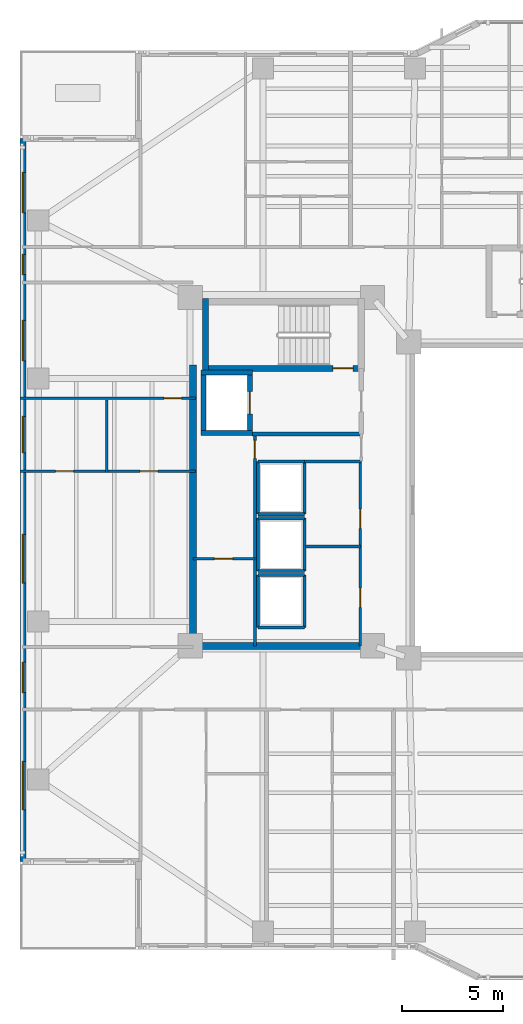
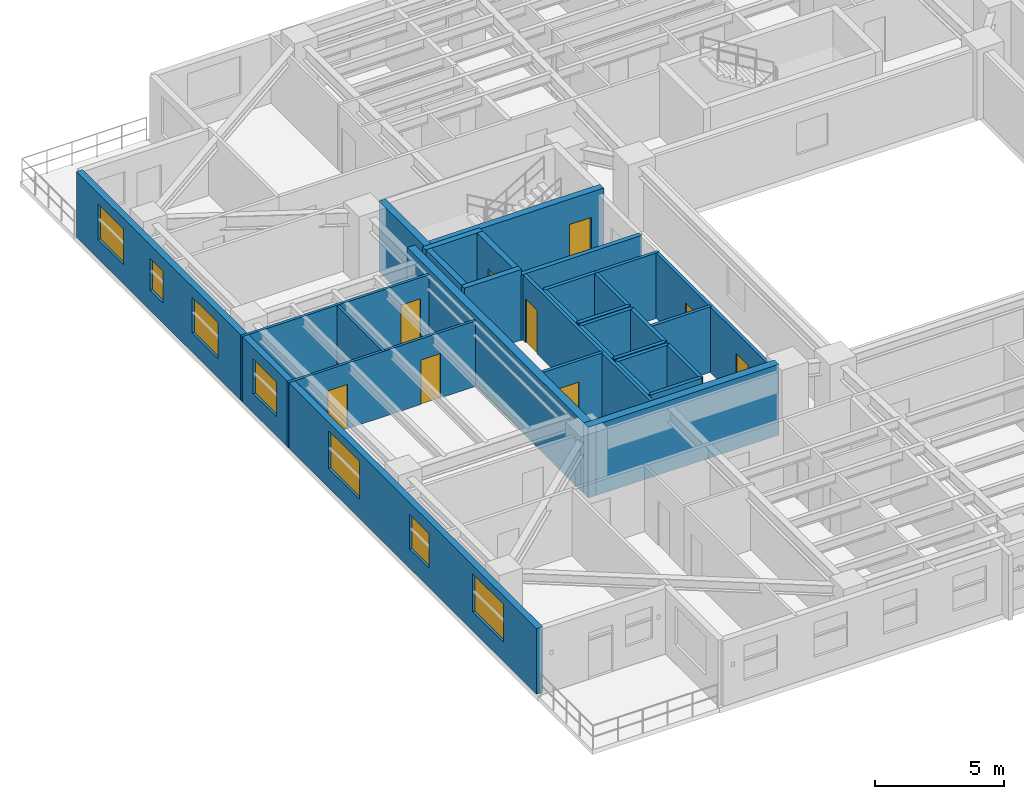
# One storey, part 7 of 19: 30 walls, 9 doors, 7 windows, 16 openings.
"""IFC4 building model written with IfcOpenShell, lengths in metres."""

from ifc_helpers import new_model, si_unit, direction, frame, frame_2d, origin, place, context, subcontext, project, spatial, rectangle, extrude, material, layer, layer_set, type_object, element, fill, save


model = new_model("IFC4")

# Units and contexts
model_context = context("Model", 3, precision=1e-05, world=origin(), true_north=direction((0.0, 1.0)))
body_context = subcontext(model_context, "Body", "Model", "MODEL_VIEW")
ifc_project = project(units=[si_unit("LENGTHUNIT", "METRE"), si_unit("AREAUNIT", "SQUARE_METRE"), si_unit("VOLUMEUNIT", "CUBIC_METRE"), si_unit("PLANEANGLEUNIT", "RADIAN"), si_unit("MASSUNIT", "GRAM", prefix="KILO")], contexts=[model_context])

# Site, building, storey
site_placement = place(None, origin())
site = spatial("IfcSite", under=ifc_project, at=site_placement, CompositionType="ELEMENT")
building_placement = place(site_placement, origin())
building = spatial("IfcBuilding", under=site, at=building_placement, Name="Tarnavaz Court Tower", CompositionType="ELEMENT")
storey_placement = place(building_placement, frame((0.0, 0.0, 78.300048828125)))
storey = spatial("IfcBuildingStorey", under=building, at=storey_placement, Name="L20", CompositionType="ELEMENT", Elevation=78.300048828125)

# Wall
ifc_material_1 = material(Name="Concrete C60/75", Category="concrete")
ifc_layer_1 = layer(ifc_material_1, 0.25)
ifc_layer_set_1 = layer_set([ifc_layer_1], Name="Concrete C60/75")
wall_type_1 = type_object("IfcWallType", Name="WL-CORE-250-C60", PredefinedType="SHEAR", material=ifc_layer_set_1)
wall_1_placement = place(storey_placement, frame((-17.949951171875, 3.175048828125, 0.0), z_axis=(0.0, 0.0, 1.0), x_axis=(0.0, 1.0, 0.0)))
element("IfcWall", 1, at=wall_1_placement, inside=storey, type_object=wall_type_1, Name="L20 Lift FL-W1 Shaft Wall 017", PredefinedType="SHEAR", context=body_context, shape_type="SweptSolid", body=[
    extrude(rectangle(XDim=3.25, YDim=0.25, at=frame_2d((1.625, 0.0))), origin(), (0.0, 0.0, 1.0), 3.349853515625),
])

# Wall, opening, door
wall_2_placement = place(storey_placement, frame((-15.64990234375, 3.175048828125, 0.0), z_axis=(0.0, 0.0, 1.0), x_axis=(0.0, 1.0, 0.0)))
wall_2 = element("IfcWall", 2, at=wall_2_placement, inside=storey, type_object=wall_type_1, Name="L20 Lift FL-W1 Shaft Wall 018", PredefinedType="SHEAR", context=body_context, shape_type="SweptSolid", body=[
    extrude(rectangle(XDim=3.25, YDim=0.25, at=frame_2d((1.625, 0.0))), origin(), (0.0, 0.0, 1.0), 3.349853515625),
])
opening_1_placement = place(wall_2_placement, frame((1.074951171875, 0.0, 0.0)))
opening_1 = element("IfcOpeningElement", 3, at=opening_1_placement, cuts=wall_2, Name="Opening LD1", PredefinedType="OPENING", context=body_context, shape_type="SweptSolid", body=[
    extrude(rectangle(XDim=1.10009765625, YDim=2.14990234375, at=frame_2d((0.550048828125, 1.074951171875))), frame((0.0, 0.135009765625, 0.0), z_axis=(0.0, -1.0, 0.0), x_axis=(1.0, 0.0, 0.0)), (0.0, 0.0, 1.0), 0.27001953125),
])
ifc_material_2 = material(Name="Stainless Steel", Category="steel")
door_type_1 = type_object("IfcDoorType", Name="DR-LD-1100", OperationType="NOTDEFINED", PredefinedType="DOOR", material=ifc_material_2)
door_1_placement = place(opening_1_placement, origin())
door_1 = element("IfcDoor", 4, at=door_1_placement, inside=storey, type_object=door_type_1, Name="L20 Lift Landing Door LD-FL-W1", OperationType="SLIDING_TO_LEFT", OverallHeight=2.14990234375, OverallWidth=1.10009765625, PredefinedType="DOOR", context=body_context, shape_type="SweptSolid", body=[
    extrude(rectangle(XDim=1.10009765625, YDim=2.14990234375, at=frame_2d((0.550048828125, 1.074951171875))), frame((0.0, 0.02490234375, 0.0), z_axis=(0.0, -1.0, 0.0), x_axis=(1.0, 0.0, 0.0)), (0.0, 0.0, 1.0), 0.050048828125),
])
fill(opening_1, door_1)

# Walls
for number, where, z_axis, x_axis, name in (
    (5, (-18.074951171875, 3.300048828125, 0.0), (0.0, 0.0, 1.0), (1.0, 0.0, 0.0), "L20 Lift FL-W1 Shaft Wall 019"),
    (6, (-18.074951171875, 6.300048828125, 0.0), (0.0, 0.0, 1.0), (1.0, 0.0, 0.0), "L20 Lift FL-W1 Shaft Wall 020"),
):
    element("IfcWall", number, at=place(storey_placement, frame(where, z_axis=z_axis, x_axis=x_axis)), inside=storey, type_object=wall_type_1, Name=name, PredefinedType="SHEAR", context=body_context, shape_type="SweptSolid", body=[
        extrude(rectangle(XDim=2.550048828125, YDim=0.25, at=frame_2d((1.27490234375, 0.0))), origin(), (0.0, 0.0, 1.0), 3.349853515625),
    ])

# Wall, opening, door
ifc_layer_2 = layer(ifc_material_1, 0.300048828125)
ifc_layer_set_2 = layer_set([ifc_layer_2], Name="Concrete C60/75")
wall_type_2 = type_object("IfcWallType", Name="WL-CORE-300-C60", PredefinedType="SHEAR", material=ifc_layer_set_2)
wall_3_placement = place(storey_placement, frame((-18.0, 6.5, 0.0), z_axis=(0.0, 0.0, 1.0), x_axis=(1.0, 0.0, 0.0)))
wall_3 = element("IfcWall", 7, at=wall_3_placement, inside=storey, type_object=wall_type_2, Name="L20 West Stair Core Wall 002", PredefinedType="SHEAR", context=body_context, shape_type="SweptSolid", body=[
    extrude(rectangle(XDim=8.0, YDim=0.300048828125, at=frame_2d((4.0, 0.0))), origin(), (0.0, 0.0, 1.0), 3.349853515625),
])
opening_2_placement = place(wall_3_placement, frame((6.449951171875, 0.0, 0.0)))
opening_2 = element("IfcOpeningElement", 8, at=opening_2_placement, cuts=wall_3, Name="Opening D01", PredefinedType="OPENING", context=body_context, shape_type="SweptSolid", body=[
    extrude(rectangle(XDim=1.0, YDim=2.14990234375, at=frame_2d((0.5, 1.074951171875))), frame((0.0, 0.159912109375, 0.0), z_axis=(0.0, -1.0, 0.0), x_axis=(1.0, 0.0, 0.0)), (0.0, 0.0, 1.0), 0.320068359375),
])
ifc_material_3 = material(Name="Fire-Rated Hardwood Timber Core", Category="wood")
door_type_2 = type_object("IfcDoorType", Name="DR-FD90-1000", OperationType="NOTDEFINED", PredefinedType="DOOR", material=ifc_material_3)
door_2_placement = place(opening_2_placement, origin())
door_2 = element("IfcDoor", 9, at=door_2_placement, inside=storey, type_object=door_type_2, Name="L20 Stair ST-W1 Exit Door", OperationType="SINGLE_SWING_LEFT", OverallHeight=2.14990234375, OverallWidth=1.0, PredefinedType="DOOR", context=body_context, shape_type="SweptSolid", body=[
    extrude(rectangle(XDim=1.0, YDim=2.14990234375, at=frame_2d((0.5, 1.074951171875))), frame((0.0, 0.02490234375, 0.0), z_axis=(0.0, -1.0, 0.0), x_axis=(1.0, 0.0, 0.0)), (0.0, 0.0, 1.0), 0.050048828125),
])
fill(opening_2, door_2)

# Walls
wall_4_placement = place(storey_placement, frame((-17.85009765625, 6.35009765625, 0.0), z_axis=(0.0, 0.0, 1.0), x_axis=(0.0, 1.0, 0.0)))
element("IfcWall", 10, at=wall_4_placement, inside=storey, type_object=wall_type_2, Name="L20 West Stair Core Wall 003", PredefinedType="SHEAR", context=body_context, shape_type="SweptSolid", body=[
    extrude(rectangle(XDim=3.58984375, YDim=0.300048828125, at=frame_2d((1.794921875, 0.0))), origin(), (0.0, 0.0, 1.0), 3.349853515625),
])
ifc_layer_3 = layer(ifc_material_1, 0.35009765625)
ifc_layer_set_3 = layer_set([ifc_layer_3], Name="Concrete C60/75")
wall_type_3 = type_object("IfcWallType", Name="WL-CORE-350-C60", PredefinedType="SHEAR", material=ifc_layer_set_3)
wall_5_placement = place(storey_placement, frame((-18.449951171875, -7.375, 0.0), z_axis=(0.0, 0.0, 1.0), x_axis=(0.0, 1.0, 0.0)))
element("IfcWall", 11, at=wall_5_placement, inside=storey, type_object=wall_type_3, Name="L20 West Core Shear Wall 057", PredefinedType="SHEAR", context=body_context, shape_type="SweptSolid", body=[
    extrude(rectangle(XDim=14.050048828125, YDim=0.35009765625, at=frame_2d((7.02490234375, 0.0))), origin(), (0.0, 0.0, 1.0), 3.349853515625),
])
wall_6_placement = place(storey_placement, frame((-18.625, -7.199951171875, 0.0), z_axis=(0.0, 0.0, 1.0), x_axis=(1.0, 0.0, 0.0)))
element("IfcWall", 12, at=wall_6_placement, inside=storey, type_object=wall_type_3, Name="L20 West Core South Shear Wall 058", PredefinedType="SHEAR", context=body_context, shape_type="SweptSolid", body=[
    extrude(rectangle(XDim=8.550048828125, YDim=0.35009765625, at=frame_2d((4.27490234375, 0.0))), origin(), (0.0, 0.0, 1.0), 3.349853515625),
])

# Wall, openings, windows
ifc_material_4 = material(Name="Precast Concrete C40/50", Category="concrete")
ifc_layer_4 = layer(ifc_material_4, 0.280029296875)
ifc_layer_set_4 = layer_set([ifc_layer_4], Name="Precast Concrete C40/50")
wall_type_4 = type_object("IfcWallType", Name="WL-EXT-280", PredefinedType="SOLIDWALL", material=ifc_layer_set_4)
wall_7_placement = place(storey_placement, frame((-26.85009765625, -17.85009765625, 0.0), z_axis=(0.0, 0.0, 1.0), x_axis=(0.0, 1.0, 0.0)))
wall_7 = element("IfcWall", 13, at=wall_7_placement, inside=storey, type_object=wall_type_4, Name="L20 Exterior Terracotta Facade Wall 02", PredefinedType="SOLIDWALL", context=body_context, shape_type="SweptSolid", body=[
    extrude(rectangle(XDim=35.7001953125, YDim=0.280029296875, at=frame_2d((17.85009765625, 0.0))), origin(), (0.0, 0.0, 1.0), 3.099853515625),
])
opening_3_placement = place(wall_7_placement, frame((2.550048828125, 0.0, 0.89990234375)))
opening_3 = element("IfcOpeningElement", 14, at=opening_3_placement, cuts=wall_7, Name="Opening W06", PredefinedType="OPENING", context=body_context, shape_type="SweptSolid", body=[
    extrude(rectangle(XDim=2.39990234375, YDim=1.800048828125, at=frame_2d((1.199951171875, 0.89990234375))), frame((0.0, 0.14990234375, 0.0), z_axis=(0.0, -1.0, 0.0), x_axis=(1.0, 0.0, 0.0)), (0.0, 0.0, 1.0), 0.300048828125),
])
opening_4_placement = place(wall_7_placement, frame((8.342529296875, 0.0, 0.89990234375)))
opening_4 = element("IfcOpeningElement", 15, at=opening_4_placement, cuts=wall_7, Name="Opening W03", PredefinedType="OPENING", context=body_context, shape_type="SweptSolid", body=[
    extrude(rectangle(XDim=1.5, YDim=1.64990234375, at=frame_2d((0.75, 0.824951171875))), frame((0.0, 0.14990234375, 0.0), z_axis=(0.0, -1.0, 0.0), x_axis=(1.0, 0.0, 0.0)), (0.0, 0.0, 1.0), 0.300048828125),
])
opening_5_placement = place(wall_7_placement, frame((13.75, 0.0, 0.89990234375)))
opening_5 = element("IfcOpeningElement", 16, at=opening_5_placement, cuts=wall_7, Name="Opening W06", PredefinedType="OPENING", context=body_context, shape_type="SweptSolid", body=[
    extrude(rectangle(XDim=2.39990234375, YDim=1.800048828125, at=frame_2d((1.199951171875, 0.89990234375))), frame((0.0, 0.14990234375, 0.0), z_axis=(0.0, -1.0, 0.0), x_axis=(1.0, 0.0, 0.0)), (0.0, 0.0, 1.0), 0.300048828125),
])
opening_6_placement = place(wall_7_placement, frame((20.175048828125, 0.0, 0.89990234375)))
opening_6 = element("IfcOpeningElement", 17, at=opening_6_placement, cuts=wall_7, Name="Opening W01", PredefinedType="OPENING", context=body_context, shape_type="SweptSolid", body=[
    extrude(rectangle(XDim=1.800048828125, YDim=1.64990234375, at=frame_2d((0.89990234375, 0.824951171875))), frame((0.0, 0.14990234375, 0.0), z_axis=(0.0, -1.0, 0.0), x_axis=(1.0, 0.0, 0.0)), (0.0, 0.0, 1.0), 0.300048828125),
])
opening_7_placement = place(wall_7_placement, frame((24.72509765625, 0.0, 0.89990234375)))
opening_7 = element("IfcOpeningElement", 18, at=opening_7_placement, cuts=wall_7, Name="Opening W08", PredefinedType="OPENING", context=body_context, shape_type="SweptSolid", body=[
    extrude(rectangle(XDim=2.0, YDim=1.699951171875, at=frame_2d((1.0, 0.85009765625))), frame((0.0, 0.14990234375, 0.0), z_axis=(0.0, -1.0, 0.0), x_axis=(1.0, 0.0, 0.0)), (0.0, 0.0, 1.0), 0.300048828125),
])
opening_8_placement = place(wall_7_placement, frame((28.97509765625, 0.0, 0.949951171875)))
opening_8 = element("IfcOpeningElement", 19, at=opening_8_placement, cuts=wall_7, Name="Opening W14", PredefinedType="OPENING", context=body_context, shape_type="SweptSolid", body=[
    extrude(rectangle(XDim=1.0, YDim=1.5, at=frame_2d((0.5, 0.75))), frame((0.0, 0.14990234375, 0.0), z_axis=(0.0, -1.0, 0.0), x_axis=(1.0, 0.0, 0.0)), (0.0, 0.0, 1.0), 0.300048828125),
])
opening_9_placement = place(wall_7_placement, frame((32.02490234375, 0.0, 0.89990234375)))
opening_9 = element("IfcOpeningElement", 20, at=opening_9_placement, cuts=wall_7, Name="Opening W08", PredefinedType="OPENING", context=body_context, shape_type="SweptSolid", body=[
    extrude(rectangle(XDim=2.0, YDim=1.699951171875, at=frame_2d((1.0, 0.85009765625))), frame((0.0, 0.14990234375, 0.0), z_axis=(0.0, -1.0, 0.0), x_axis=(1.0, 0.0, 0.0)), (0.0, 0.0, 1.0), 0.300048828125),
])
ifc_material_5 = material(Name="Double-Glazed Solar Low-E Glass", Category="glass")
window_type_1 = type_object("IfcWindowType", Name="WN-APT-1000", PartitioningType="SINGLE_PANEL", PredefinedType="WINDOW", material=ifc_material_5)
window_1_placement = place(opening_8_placement, origin())
window_1 = element("IfcWindow", 21, at=window_1_placement, inside=storey, type_object=window_type_1, Name="L20 North-West Corner Corridor Window", OverallHeight=1.5, OverallWidth=1.0, PartitioningType="SINGLE_PANEL", PredefinedType="WINDOW", context=body_context, shape_type="SweptSolid", body=[
    extrude(rectangle(XDim=1.0, YDim=1.5, at=frame_2d((0.5, 0.75))), frame((0.0, 0.030029296875, 0.0), z_axis=(0.0, -1.0, 0.0), x_axis=(1.0, 0.0, 0.0)), (0.0, 0.0, 1.0), 0.06005859375),
])
fill(opening_8, window_1)
window_type_2 = type_object("IfcWindowType", Name="WN-APT-1500", PartitioningType="DOUBLE_PANEL_VERTICAL", PredefinedType="WINDOW", material=ifc_material_5)
window_2_placement = place(opening_4_placement, origin())
window_2 = element("IfcWindow", 22, at=window_2_placement, inside=storey, type_object=window_type_2, Name="L20 South-West Corner Corridor Window", OverallHeight=1.64990234375, OverallWidth=1.5, PartitioningType="SINGLE_PANEL", PredefinedType="WINDOW", context=body_context, shape_type="SweptSolid", body=[
    extrude(rectangle(XDim=1.5, YDim=1.64990234375, at=frame_2d((0.75, 0.824951171875))), frame((0.0, 0.030029296875, 0.0), z_axis=(0.0, -1.0, 0.0), x_axis=(1.0, 0.0, 0.0)), (0.0, 0.0, 1.0), 0.06005859375),
])
fill(opening_4, window_2)
window_type_3 = type_object("IfcWindowType", Name="WN-APT-1800", PartitioningType="DOUBLE_PANEL_VERTICAL", PredefinedType="WINDOW", material=ifc_material_5)
window_3_placement = place(opening_6_placement, origin())
window_3 = element("IfcWindow", 23, at=window_3_placement, inside=storey, type_object=window_type_3, Name="L20 Flat 09 Kitchen Window", OverallHeight=1.64990234375, OverallWidth=1.800048828125, PartitioningType="SINGLE_PANEL", PredefinedType="WINDOW", context=body_context, shape_type="SweptSolid", body=[
    extrude(rectangle(XDim=1.800048828125, YDim=1.64990234375, at=frame_2d((0.89990234375, 0.824951171875))), frame((0.0, 0.030029296875, 0.0), z_axis=(0.0, -1.0, 0.0), x_axis=(1.0, 0.0, 0.0)), (0.0, 0.0, 1.0), 0.06005859375),
])
fill(opening_6, window_3)
window_type_4 = type_object("IfcWindowType", Name="WN-APT-2000", PartitioningType="DOUBLE_PANEL_VERTICAL", PredefinedType="WINDOW", material=ifc_material_5)
window_4_placement = place(opening_7_placement, origin())
window_4 = element("IfcWindow", 24, at=window_4_placement, inside=storey, type_object=window_type_4, Name="L20 Flat 09 Study Room Window", OverallHeight=1.699951171875, OverallWidth=2.0, PartitioningType="SINGLE_PANEL", PredefinedType="WINDOW", context=body_context, shape_type="SweptSolid", body=[
    extrude(rectangle(XDim=2.0, YDim=1.699951171875, at=frame_2d((1.0, 0.85009765625))), frame((0.0, 0.030029296875, 0.0), z_axis=(0.0, -1.0, 0.0), x_axis=(1.0, 0.0, 0.0)), (0.0, 0.0, 1.0), 0.06005859375),
])
fill(opening_7, window_4)
window_5_placement = place(opening_9_placement, origin())
window_5 = element("IfcWindow", 25, at=window_5_placement, inside=storey, type_object=window_type_4, Name="L20 North-West Corner Sunroom Study Window", OverallHeight=1.699951171875, OverallWidth=2.0, PartitioningType="SINGLE_PANEL", PredefinedType="WINDOW", context=body_context, shape_type="SweptSolid", body=[
    extrude(rectangle(XDim=2.0, YDim=1.699951171875, at=frame_2d((1.0, 0.85009765625))), frame((0.0, 0.030029296875, 0.0), z_axis=(0.0, -1.0, 0.0), x_axis=(1.0, 0.0, 0.0)), (0.0, 0.0, 1.0), 0.06005859375),
])
fill(opening_9, window_5)
window_type_5 = type_object("IfcWindowType", Name="WN-APT-2400", PartitioningType="TRIPLE_PANEL_VERTICAL", PredefinedType="WINDOW", material=ifc_material_5)
window_6_placement = place(opening_3_placement, origin())
window_6 = element("IfcWindow", 26, at=window_6_placement, inside=storey, type_object=window_type_5, Name="L20 South-West Corner Reading Room Window", OverallHeight=1.800048828125, OverallWidth=2.39990234375, PartitioningType="SINGLE_PANEL", PredefinedType="WINDOW", context=body_context, shape_type="SweptSolid", body=[
    extrude(rectangle(XDim=2.39990234375, YDim=1.800048828125, at=frame_2d((1.199951171875, 0.89990234375))), frame((0.0, 0.030029296875, 0.0), z_axis=(0.0, -1.0, 0.0), x_axis=(1.0, 0.0, 0.0)), (0.0, 0.0, 1.0), 0.06005859375),
])
fill(opening_3, window_6)
window_7_placement = place(opening_5_placement, origin())
window_7 = element("IfcWindow", 27, at=window_7_placement, inside=storey, type_object=window_type_5, Name="L20 Flat 09 Studio Living and Sleeping Room Window", OverallHeight=1.800048828125, OverallWidth=2.39990234375, PartitioningType="SINGLE_PANEL", PredefinedType="WINDOW", context=body_context, shape_type="SweptSolid", body=[
    extrude(rectangle(XDim=2.39990234375, YDim=1.800048828125, at=frame_2d((1.199951171875, 0.89990234375))), frame((0.0, 0.030029296875, 0.0), z_axis=(0.0, -1.0, 0.0), x_axis=(1.0, 0.0, 0.0)), (0.0, 0.0, 1.0), 0.06005859375),
])
fill(opening_5, window_7)

# Wall
ifc_material_6 = material(Name="Autoclaved Aerated Concrete Blockwork", Category="masonry")
ifc_layer_5 = layer(ifc_material_6, 0.199951171875)
ifc_layer_set_5 = layer_set([ifc_layer_5], Name="Autoclaved Aerated Concrete Blockwork")
wall_type_5 = type_object("IfcWallType", Name="WL-FIRE-200", PredefinedType="SOLIDWALL", material=ifc_layer_set_5)
wall_8_placement = place(storey_placement, frame((-15.550048828125, 3.25, 0.0), z_axis=(0.0, 0.0, 1.0), x_axis=(1.0, 0.0, 0.0)))
element("IfcWall", 28, at=wall_8_placement, inside=storey, type_object=wall_type_5, Name="L20 West Firefighting Lobby Wall 013", PredefinedType="SOLIDWALL", context=body_context, shape_type="SweptSolid", body=[
    extrude(rectangle(XDim=5.400146484375, YDim=0.199951171875, at=frame_2d((2.7001953125, 0.0))), origin(), (0.0, 0.0, 1.0), 3.099853515625),
])

# Wall, openings, doors
ifc_material_7 = material(Name="Moisture-Resistant Gypsum Board Partition", Category="masonry")
ifc_layer_6 = layer(ifc_material_7, 0.1201171875)
ifc_layer_set_6 = layer_set([ifc_layer_6], Name="Moisture-Resistant Gypsum Board Partition")
wall_type_6 = type_object("IfcWallType", Name="WL-PART-120", PredefinedType="PARTITIONING", material=ifc_layer_set_6)
wall_9_placement = place(storey_placement, frame((-27.0, 1.419921875, 0.0), z_axis=(0.0, 0.0, 1.0), x_axis=(1.0, 0.0, 0.0)))
wall_9 = element("IfcWall", 29, at=wall_9_placement, inside=storey, type_object=wall_type_6, Name="L20 Interior Partition 134", PredefinedType="PARTITIONING", context=body_context, shape_type="SweptSolid", body=[
    extrude(rectangle(XDim=8.669921875, YDim=0.1201171875, at=frame_2d((4.3349609375, 0.0))), origin(), (0.0, 0.0, 1.0), 3.099853515625),
])
opening_10_placement = place(wall_9_placement, frame((1.762939453125, 0.0, 0.0)))
opening_10 = element("IfcOpeningElement", 30, at=opening_10_placement, cuts=wall_9, Name="Opening D14", PredefinedType="OPENING", context=body_context, shape_type="SweptSolid", body=[
    extrude(rectangle(XDim=0.8798828125, YDim=2.10009765625, at=frame_2d((0.43994140625, 1.050048828125))), frame((0.0, 0.070068359375, 0.0), z_axis=(0.0, -1.0, 0.0), x_axis=(1.0, 0.0, 0.0)), (0.0, 0.0, 1.0), 0.14013671875),
])
opening_11_placement = place(wall_9_placement, frame((5.927978515625, 0.0, 0.0)))
opening_11 = element("IfcOpeningElement", 31, at=opening_11_placement, cuts=wall_9, Name="Opening D14", PredefinedType="OPENING", context=body_context, shape_type="SweptSolid", body=[
    extrude(rectangle(XDim=0.8798828125, YDim=2.10009765625, at=frame_2d((0.43994140625, 1.050048828125))), frame((0.0, 0.070068359375, 0.0), z_axis=(0.0, -1.0, 0.0), x_axis=(1.0, 0.0, 0.0)), (0.0, 0.0, 1.0), 0.14013671875),
])
ifc_material_8 = material(Name="Engineered Oak Timber", Category="wood")
door_type_3 = type_object("IfcDoorType", Name="DR-INT-900", OperationType="NOTDEFINED", PredefinedType="DOOR", material=ifc_material_8)
door_3_placement = place(opening_10_placement, origin())
door_3 = element("IfcDoor", 32, at=door_3_placement, inside=storey, type_object=door_type_3, Name="L20 Flat 09 Kitchen Door", OperationType="SINGLE_SWING_RIGHT", OverallHeight=2.10009765625, OverallWidth=0.8798828125, PredefinedType="DOOR", context=body_context, shape_type="SweptSolid", body=[
    extrude(rectangle(XDim=0.8798828125, YDim=2.10009765625, at=frame_2d((0.43994140625, 1.050048828125))), frame((0.0, 0.02490234375, 0.0), z_axis=(0.0, -1.0, 0.0), x_axis=(1.0, 0.0, 0.0)), (0.0, 0.0, 1.0), 0.050048828125),
])
fill(opening_10, door_3)
door_4_placement = place(opening_11_placement, origin())
door_4 = element("IfcDoor", 33, at=door_4_placement, inside=storey, type_object=door_type_3, Name="L20 Flat 09 Bathroom Door", OperationType="SINGLE_SWING_LEFT", OverallHeight=2.10009765625, OverallWidth=0.8798828125, PredefinedType="DOOR", context=body_context, shape_type="SweptSolid", body=[
    extrude(rectangle(XDim=0.8798828125, YDim=2.10009765625, at=frame_2d((0.43994140625, 1.050048828125))), frame((0.0, 0.02490234375, 0.0), z_axis=(0.0, -1.0, 0.0), x_axis=(1.0, 0.0, 0.0)), (0.0, 0.0, 1.0), 0.050048828125),
])
fill(opening_11, door_4)

# Wall, opening, door
wall_10_placement = place(storey_placement, frame((-27.0, 5.02001953125, 0.0), z_axis=(0.0, 0.0, 1.0), x_axis=(1.0, 0.0, 0.0)))
wall_10 = element("IfcWall", 34, at=wall_10_placement, inside=storey, type_object=wall_type_6, Name="L20 Interior Partition 135", PredefinedType="PARTITIONING", context=body_context, shape_type="SweptSolid", body=[
    extrude(rectangle(XDim=8.669921875, YDim=0.1201171875, at=frame_2d((4.3349609375, 0.0))), origin(), (0.0, 0.0, 1.0), 3.099853515625),
])
opening_12_placement = place(wall_10_placement, frame((7.10009765625, 0.0, 0.0)))
opening_12 = element("IfcOpeningElement", 35, at=opening_12_placement, cuts=wall_10, Name="Opening D14", PredefinedType="OPENING", context=body_context, shape_type="SweptSolid", body=[
    extrude(rectangle(XDim=0.8798828125, YDim=2.10009765625, at=frame_2d((0.43994140625, 1.050048828125))), frame((0.0, 0.070068359375, 0.0), z_axis=(0.0, -1.0, 0.0), x_axis=(1.0, 0.0, 0.0)), (0.0, 0.0, 1.0), 0.14013671875),
])
door_5_placement = place(opening_12_placement, origin())
door_5 = element("IfcDoor", 36, at=door_5_placement, inside=storey, type_object=door_type_3, Name="L20 Flat 09 Study Door", OperationType="SINGLE_SWING_RIGHT", OverallHeight=2.10009765625, OverallWidth=0.8798828125, PredefinedType="DOOR", context=body_context, shape_type="SweptSolid", body=[
    extrude(rectangle(XDim=0.8798828125, YDim=2.10009765625, at=frame_2d((0.43994140625, 1.050048828125))), frame((0.0, 0.02490234375, 0.0), z_axis=(0.0, -1.0, 0.0), x_axis=(1.0, 0.0, 0.0)), (0.0, 0.0, 1.0), 0.050048828125),
])
fill(opening_12, door_5)

# Walls
wall_11_placement = place(storey_placement, frame((-22.715087890625, 1.360107421875, 0.0), z_axis=(0.0, 0.0, 1.0), x_axis=(0.0, 1.0, 0.0)))
element("IfcWall", 37, at=wall_11_placement, inside=storey, type_object=wall_type_6, Name="L20 Interior Partition 136", PredefinedType="PARTITIONING", context=body_context, shape_type="SweptSolid", body=[
    extrude(rectangle(XDim=3.579833984375, YDim=0.1201171875, at=frame_2d((1.7900390625, 0.0))), origin(), (0.0, 0.0, 1.0), 3.099853515625),
])
ifc_material_9 = material(Name="Gypsum Plasterboard Acoustic Partition", Category="masonry")
ifc_layer_7 = layer(ifc_material_9, 0.139892578125)
ifc_layer_set_7 = layer_set([ifc_layer_7], Name="Gypsum Plasterboard Acoustic Partition")
wall_type_7 = type_object("IfcWallType", Name="WL-PART-150", PredefinedType="PARTITIONING", material=ifc_layer_set_7)
wall_12_placement = place(storey_placement, frame((-12.949951171875, 1.89990234375, 0.0), z_axis=(0.0, 0.0, 1.0), x_axis=(1.0, 0.0, 0.0)))
element("IfcWall", 38, at=wall_12_placement, inside=storey, type_object=wall_type_7, Name="L20 Interior Partition 061", PredefinedType="PARTITIONING", context=body_context, shape_type="SweptSolid", body=[
    extrude(rectangle(XDim=2.800048828125, YDim=0.139892578125, at=frame_2d((1.39990234375, 0.0))), origin(), (0.0, 0.0, 1.0), 3.099853515625),
])

# Wall, opening, door
wall_13_placement = place(storey_placement, frame((-15.39990234375, -7.199951171875, 0.0), z_axis=(0.0, 0.0, 1.0), x_axis=(0.0, 1.0, 0.0)))
wall_13 = element("IfcWall", 39, at=wall_13_placement, inside=storey, type_object=wall_type_7, Name="L20 Interior Partition 063", PredefinedType="PARTITIONING", context=body_context, shape_type="SweptSolid", body=[
    extrude(rectangle(XDim=10.449951171875, YDim=0.139892578125, at=frame_2d((5.22509765625, 0.0))), origin(), (0.0, 0.0, 1.0), 3.099853515625),
])
opening_13_placement = place(wall_13_placement, frame((9.25, 0.0, 0.0)))
opening_13 = element("IfcOpeningElement", 40, at=opening_13_placement, cuts=wall_13, Name="Opening D09", PredefinedType="OPENING", context=body_context, shape_type="SweptSolid", body=[
    extrude(rectangle(XDim=0.89990234375, YDim=2.080078125, at=frame_2d((0.449951171875, 1.0400390625))), frame((0.0, 0.079833984375, 0.0), z_axis=(0.0, -1.0, 0.0), x_axis=(1.0, 0.0, 0.0)), (0.0, 0.0, 1.0), 0.159912109375),
])
door_type_4 = type_object("IfcDoorType", Name="DR-FD30-900", OperationType="NOTDEFINED", PredefinedType="DOOR", material=ifc_material_3)
door_6_placement = place(opening_13_placement, origin())
door_6 = element("IfcDoor", 41, at=door_6_placement, inside=storey, type_object=door_type_4, Name="L20 West Valve Room Door", OperationType="SINGLE_SWING_RIGHT", OverallHeight=2.080078125, OverallWidth=0.89990234375, PredefinedType="DOOR", context=body_context, shape_type="SweptSolid", body=[
    extrude(rectangle(XDim=0.89990234375, YDim=2.080078125, at=frame_2d((0.449951171875, 1.0400390625))), frame((0.0, 0.02490234375, 0.0), z_axis=(0.0, -1.0, 0.0), x_axis=(1.0, 0.0, 0.0)), (0.0, 0.0, 1.0), 0.050048828125),
])
fill(opening_13, door_6)

wall_14_placement = place(storey_placement, frame((-18.449951171875, -2.89990234375, 0.0), z_axis=(0.0, 0.0, 1.0), x_axis=(1.0, 0.0, 0.0)))
wall_14 = element("IfcWall", 42, at=wall_14_placement, inside=storey, type_object=wall_type_7, Name="L20 Interior Partition 064", PredefinedType="PARTITIONING", context=body_context, shape_type="SweptSolid", body=[
    extrude(rectangle(XDim=3.050048828125, YDim=0.139892578125, at=frame_2d((1.52490234375, 0.0))), origin(), (0.0, 0.0, 1.0), 3.099853515625),
])
opening_14_placement = place(wall_14_placement, frame((1.050048828125, 0.0, 0.0)))
opening_14 = element("IfcOpeningElement", 43, at=opening_14_placement, cuts=wall_14, Name="Opening D09", PredefinedType="OPENING", context=body_context, shape_type="SweptSolid", body=[
    extrude(rectangle(XDim=0.89990234375, YDim=2.080078125, at=frame_2d((0.449951171875, 1.0400390625))), frame((0.0, 0.079833984375, 0.0), z_axis=(0.0, -1.0, 0.0), x_axis=(1.0, 0.0, 0.0)), (0.0, 0.0, 1.0), 0.159912109375),
])
door_7_placement = place(opening_14_placement, origin())
door_7 = element("IfcDoor", 44, at=door_7_placement, inside=storey, type_object=door_type_4, Name="L20 West Power Plant Door", OperationType="SINGLE_SWING_LEFT", OverallHeight=2.080078125, OverallWidth=0.89990234375, PredefinedType="DOOR", context=body_context, shape_type="SweptSolid", body=[
    extrude(rectangle(XDim=0.89990234375, YDim=2.080078125, at=frame_2d((0.449951171875, 1.0400390625))), frame((0.0, 0.02490234375, 0.0), z_axis=(0.0, -1.0, 0.0), x_axis=(1.0, 0.0, 0.0)), (0.0, 0.0, 1.0), 0.050048828125),
])
fill(opening_14, door_7)

# Wall, openings, doors
wall_15_placement = place(storey_placement, frame((-10.199951171875, -7.199951171875, 0.0), z_axis=(0.0, 0.0, 1.0), x_axis=(0.0, 1.0, 0.0)))
wall_15 = element("IfcWall", 45, at=wall_15_placement, inside=storey, type_object=wall_type_7, Name="L20 West Reclaimed Core Wall 065", PredefinedType="PARTITIONING", context=body_context, shape_type="SweptSolid", body=[
    extrude(rectangle(XDim=9.119873046875, YDim=0.139892578125, at=frame_2d((4.56005859375, 0.0))), origin(), (0.0, 0.0, 1.0), 3.099853515625),
])
opening_15_placement = place(wall_15_placement, frame((1.89990234375, 0.0, 0.0)))
opening_15 = element("IfcOpeningElement", 46, at=opening_15_placement, cuts=wall_15, Name="Opening D08", PredefinedType="OPENING", context=body_context, shape_type="SweptSolid", body=[
    extrude(rectangle(XDim=0.949951171875, YDim=2.1201171875, at=frame_2d((0.47509765625, 1.06005859375))), frame((0.0, 0.079833984375, 0.0), z_axis=(0.0, -1.0, 0.0), x_axis=(1.0, 0.0, 0.0)), (0.0, 0.0, 1.0), 0.159912109375),
])
opening_16_placement = place(wall_15_placement, frame((5.800048828125, 0.0, 0.0)))
opening_16 = element("IfcOpeningElement", 47, at=opening_16_placement, cuts=wall_15, Name="Opening D08", PredefinedType="OPENING", context=body_context, shape_type="SweptSolid", body=[
    extrude(rectangle(XDim=0.949951171875, YDim=2.1201171875, at=frame_2d((0.47509765625, 1.06005859375))), frame((0.0, 0.079833984375, 0.0), z_axis=(0.0, -1.0, 0.0), x_axis=(1.0, 0.0, 0.0)), (0.0, 0.0, 1.0), 0.159912109375),
])
door_type_5 = type_object("IfcDoorType", Name="DR-FD30-950", OperationType="NOTDEFINED", PredefinedType="DOOR", material=ifc_material_3)
door_8_placement = place(opening_15_placement, origin())
door_8 = element("IfcDoor", 48, at=door_8_placement, inside=storey, type_object=door_type_5, Name="L20 West Study Room Door", OperationType="SINGLE_SWING_RIGHT", OverallHeight=2.1201171875, OverallWidth=0.949951171875, PredefinedType="DOOR", context=body_context, shape_type="SweptSolid", body=[
    extrude(rectangle(XDim=0.949951171875, YDim=2.1201171875, at=frame_2d((0.47509765625, 1.06005859375))), frame((0.0, 0.02490234375, 0.0), z_axis=(0.0, -1.0, 0.0), x_axis=(1.0, 0.0, 0.0)), (0.0, 0.0, 1.0), 0.050048828125),
])
fill(opening_15, door_8)
door_9_placement = place(opening_16_placement, origin())
door_9 = element("IfcDoor", 49, at=door_9_placement, inside=storey, type_object=door_type_5, Name="L20 West Laundry Room Door", OperationType="SINGLE_SWING_LEFT", OverallHeight=2.1201171875, OverallWidth=0.949951171875, PredefinedType="DOOR", context=body_context, shape_type="SweptSolid", body=[
    extrude(rectangle(XDim=0.949951171875, YDim=2.1201171875, at=frame_2d((0.47509765625, 1.06005859375))), frame((0.0, 0.02490234375, 0.0), z_axis=(0.0, -1.0, 0.0), x_axis=(1.0, 0.0, 0.0)), (0.0, 0.0, 1.0), 0.050048828125),
])
fill(opening_16, door_9)

# Walls
wall_16_placement = place(storey_placement, frame((-12.89990234375, -2.300048828125, 0.0), z_axis=(0.0, 0.0, 1.0), x_axis=(1.0, 0.0, 0.0)))
element("IfcWall", 50, at=wall_16_placement, inside=storey, type_object=wall_type_7, Name="L20 Interior Partition 066", PredefinedType="PARTITIONING", context=body_context, shape_type="SweptSolid", body=[
    extrude(rectangle(XDim=2.699951171875, YDim=0.139892578125, at=frame_2d((1.35009765625, 0.0))), origin(), (0.0, 0.0, 1.0), 3.099853515625),
])
ifc_layer_8 = layer(ifc_material_6, 0.159912109375)
ifc_layer_set_8 = layer_set([ifc_layer_8], Name="Autoclaved Aerated Concrete Blockwork")
wall_type_8 = type_object("IfcWallType", Name="WL-SHAFT-150", PredefinedType="SOLIDWALL", material=ifc_layer_set_8)
for number, where, z_axis, x_axis, name in (
    (51, (-15.25, -6.300048828125, 0.0), (0.0, 0.0, 1.0), (0.0, 1.0, 0.0), "L20 Lift PL-H1 Shaft Wall 021"),
    (52, (-12.949951171875, -6.300048828125, 0.0), (0.0, 0.0, 1.0), (0.0, 1.0, 0.0), "L20 Lift PL-H1 Shaft Wall 022"),
):
    element("IfcWall", number, at=place(storey_placement, frame(where, z_axis=z_axis, x_axis=x_axis)), inside=storey, type_object=wall_type_8, Name=name, PredefinedType="SOLIDWALL", context=body_context, shape_type="SweptSolid", body=[
        extrude(rectangle(XDim=2.60009765625, YDim=0.159912109375, at=frame_2d((1.300048828125, 0.0))), origin(), (0.0, 0.0, 1.0), 3.099853515625),
    ])
for number, where, z_axis, x_axis, name in (
    (53, (-15.25, -6.300048828125, 0.0), (0.0, 0.0, 1.0), (1.0, 0.0, 0.0), "L20 Lift PL-H1 Shaft Wall 023"),
    (54, (-15.25, -3.699951171875, 0.0), (0.0, 0.0, 1.0), (1.0, 0.0, 0.0), "L20 Lift PL-H1 Shaft Wall 024"),
):
    element("IfcWall", number, at=place(storey_placement, frame(where, z_axis=z_axis, x_axis=x_axis)), inside=storey, type_object=wall_type_8, Name=name, PredefinedType="SOLIDWALL", context=body_context, shape_type="SweptSolid", body=[
        extrude(rectangle(XDim=2.300048828125, YDim=0.159912109375, at=frame_2d((1.14990234375, 0.0))), origin(), (0.0, 0.0, 1.0), 3.099853515625),
    ])
for number, where, z_axis, x_axis, name in (
    (55, (-15.25, -3.5, 0.0), (0.0, 0.0, 1.0), (0.0, 1.0, 0.0), "L20 Lift PL-H2 Shaft Wall 025"),
    (56, (-12.949951171875, -3.5, 0.0), (0.0, 0.0, 1.0), (0.0, 1.0, 0.0), "L20 Lift PL-H2 Shaft Wall 026"),
):
    element("IfcWall", number, at=place(storey_placement, frame(where, z_axis=z_axis, x_axis=x_axis)), inside=storey, type_object=wall_type_8, Name=name, PredefinedType="SOLIDWALL", context=body_context, shape_type="SweptSolid", body=[
        extrude(rectangle(XDim=2.60009765625, YDim=0.159912109375, at=frame_2d((1.300048828125, 0.0))), origin(), (0.0, 0.0, 1.0), 3.099853515625),
    ])
for number, where, z_axis, x_axis, name in (
    (57, (-15.25, -3.5, 0.0), (0.0, 0.0, 1.0), (1.0, 0.0, 0.0), "L20 Lift PL-H2 Shaft Wall 027"),
    (58, (-15.25, -0.89990234375, 0.0), (0.0, 0.0, 1.0), (1.0, 0.0, 0.0), "L20 Lift PL-H2 Shaft Wall 028"),
):
    element("IfcWall", number, at=place(storey_placement, frame(where, z_axis=z_axis, x_axis=x_axis)), inside=storey, type_object=wall_type_8, Name=name, PredefinedType="SOLIDWALL", context=body_context, shape_type="SweptSolid", body=[
        extrude(rectangle(XDim=2.300048828125, YDim=0.159912109375, at=frame_2d((1.14990234375, 0.0))), origin(), (0.0, 0.0, 1.0), 3.099853515625),
    ])
for number, where, z_axis, x_axis, name in (
    (59, (-15.25, -0.699951171875, 0.0), (0.0, 0.0, 1.0), (0.0, 1.0, 0.0), "L20 Lift PL-H3 Shaft Wall 029"),
    (60, (-12.949951171875, -0.699951171875, 0.0), (0.0, 0.0, 1.0), (0.0, 1.0, 0.0), "L20 Lift PL-H3 Shaft Wall 030"),
):
    element("IfcWall", number, at=place(storey_placement, frame(where, z_axis=z_axis, x_axis=x_axis)), inside=storey, type_object=wall_type_8, Name=name, PredefinedType="SOLIDWALL", context=body_context, shape_type="SweptSolid", body=[
        extrude(rectangle(XDim=2.599853515625, YDim=0.159912109375, at=frame_2d((1.2998046875, 0.0))), origin(), (0.0, 0.0, 1.0), 3.099853515625),
    ])
for number, where, z_axis, x_axis, name in (
    (61, (-15.25, -0.699951171875, 0.0), (0.0, 0.0, 1.0), (1.0, 0.0, 0.0), "L20 Lift PL-H3 Shaft Wall 031"),
    (62, (-15.25, 1.89990234375, 0.0), (0.0, 0.0, 1.0), (1.0, 0.0, 0.0), "L20 Lift PL-H3 Shaft Wall 032"),
):
    element("IfcWall", number, at=place(storey_placement, frame(where, z_axis=z_axis, x_axis=x_axis)), inside=storey, type_object=wall_type_8, Name=name, PredefinedType="SOLIDWALL", context=body_context, shape_type="SweptSolid", body=[
        extrude(rectangle(XDim=2.300048828125, YDim=0.159912109375, at=frame_2d((1.14990234375, 0.0))), origin(), (0.0, 0.0, 1.0), 3.099853515625),
    ])

save(model, "model.ifc")
